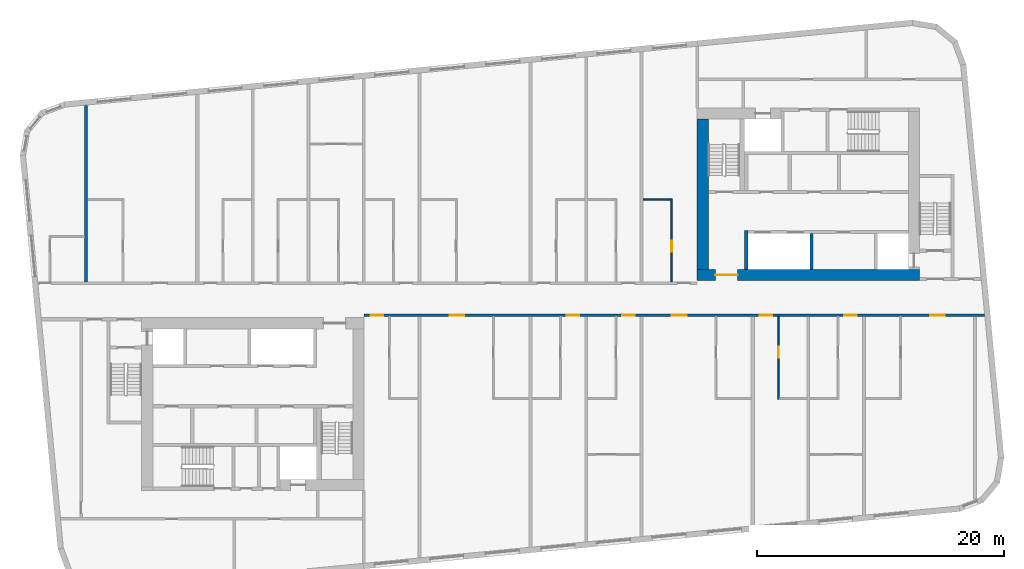
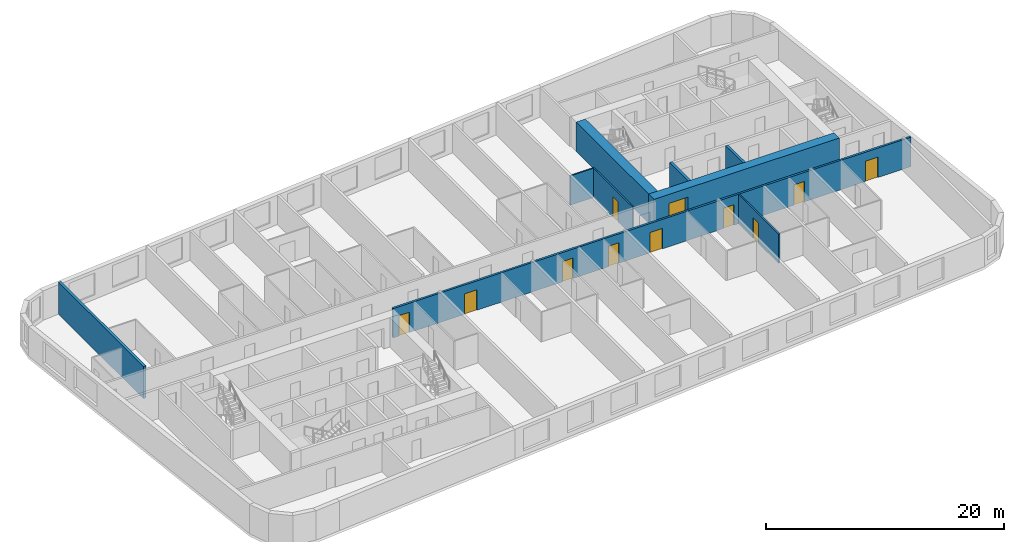
# One storey, part 5 of 12: 11 doors, 9 walls, 11 openings.
"""IFC4 building model written with IfcOpenShell, lengths in metres."""

from ifc_helpers import new_model, si_unit, direction, frame, frame_2d, origin, place, context, subcontext, project, spatial, rectangle, extrude, material, layer, layer_set, type_object, element, fill, save


model = new_model("IFC4")

# Units and contexts
model_context = context("Model", 3, precision=1e-05, world=origin(), true_north=direction((0.0, 1.0)))
body_context = subcontext(model_context, "Body", "Model", "MODEL_VIEW")
ifc_project = project(units=[si_unit("LENGTHUNIT", "METRE"), si_unit("AREAUNIT", "SQUARE_METRE"), si_unit("VOLUMEUNIT", "CUBIC_METRE"), si_unit("PLANEANGLEUNIT", "RADIAN"), si_unit("MASSUNIT", "GRAM", prefix="KILO")], contexts=[model_context])

# Site, building, storey
site_placement = place(None, origin())
site = spatial("IfcSite", under=ifc_project, at=site_placement, CompositionType="ELEMENT")
building_placement = place(site_placement, origin())
building = spatial("IfcBuilding", under=site, at=building_placement, Name="Kajstack Hotel Tower", CompositionType="ELEMENT")
storey_placement = place(building_placement, frame((0.0, 0.0, 301.5)))
storey = spatial("IfcBuildingStorey", under=building, at=storey_placement, Name="L76", CompositionType="ELEMENT", Elevation=301.5)

# Wall, opening, door
ifc_material_1 = material(Name="Concrete C60/75", Category="concrete")
ifc_layer_1 = layer(ifc_material_1, 0.89990234375)
ifc_layer_set_1 = layer_set([ifc_layer_1], Name="Core wall 900")
wall_type_1 = type_object("IfcWallType", Name="Core wall 900", PredefinedType="SHEAR", material=ifc_layer_set_1)
wall_1_placement = place(storey_placement, frame((13.5, 1.949951171875, 0.0), z_axis=(0.0, 0.0, 1.0), x_axis=(1.0, 0.0, 0.0)))
wall_1 = element("IfcWall", 1, at=wall_1_placement, inside=storey, type_object=wall_type_1, Name="Core wall E RN", PredefinedType="SHEAR", context=body_context, shape_type="SweptSolid", body=[
    extrude(rectangle(XDim=18.0, YDim=0.89990234375, at=frame_2d((9.0, 0.0))), origin(), (0.0, 0.0, 1.0), 3.02001953125),
])
opening_1_placement = place(wall_1_placement, frame((1.47509765625, 0.0, 0.0)))
opening_1 = element("IfcOpeningElement", 2, at=opening_1_placement, cuts=wall_1, Name="Opening 76E05", PredefinedType="OPENING", context=body_context, shape_type="SweptSolid", body=[
    extrude(rectangle(XDim=1.800048828125, YDim=2.10009765625, at=frame_2d((0.89990234375, 1.050048828125))), frame((0.0, 0.4599609375, 0.0), z_axis=(0.0, -1.0, 0.0), x_axis=(1.0, 0.0, 0.0)), (0.0, 0.0, 1.0), 0.919921875),
])
ifc_material_2 = material(Name="Glazed steel frame, fire-rated glass", Category="steel")
door_type_1 = type_object("IfcDoorType", Name="Lobby double door 1800", OperationType="DOUBLE_DOOR_DOUBLE_SWING", PredefinedType="DOOR", material=ifc_material_2)
door_1_placement = place(opening_1_placement, origin())
door_1 = element("IfcDoor", 3, at=door_1_placement, inside=storey, type_object=door_type_1, Name="Door 76E05", OperationType="DOUBLE_DOOR_DOUBLE_SWING", OverallHeight=2.10009765625, OverallWidth=1.800048828125, PredefinedType="DOOR", context=body_context, shape_type="SweptSolid", body=[
    extrude(rectangle(XDim=1.800048828125, YDim=2.10009765625, at=frame_2d((0.89990234375, 1.050048828125))), frame((0.0, 0.02490234375, 0.0), z_axis=(0.0, -1.0, 0.0), x_axis=(1.0, 0.0, 0.0)), (0.0, 0.0, 1.0), 0.050048828125),
])
fill(opening_1, door_1)

# Wall
wall_2_placement = place(storey_placement, frame((13.949951171875, 2.39990234375, 0.0), z_axis=(0.0, 0.0, 1.0), x_axis=(0.0, 1.0, 0.0)))
element("IfcWall", 4, at=wall_2_placement, inside=storey, type_object=wall_type_1, Name="Core wall E RE", PredefinedType="SHEAR", context=body_context, shape_type="SweptSolid", body=[
    extrude(rectangle(XDim=12.2001953125, YDim=0.89990234375, at=frame_2d((6.10009765625, 0.0))), origin(), (0.0, 0.0, 1.0), 3.02001953125),
])

# Wall, openings, doors
ifc_material_3 = material(Name="Gypsum board on steel studs, mineral wool", Category="steel")
ifc_layer_2 = layer(ifc_material_3, 0.199951171875)
ifc_layer_set_2 = layer_set([ifc_layer_2], Name="Corridor wall 200")
wall_type_2 = type_object("IfcWallType", Name="Corridor wall 200", PredefinedType="PARTITIONING", material=ifc_layer_set_2)
wall_3_placement = place(storey_placement, frame((-13.5, -1.300048828125, 0.0), z_axis=(0.0, 0.0, 1.0), x_axis=(1.0, 0.0, 0.0)))
wall_3 = element("IfcWall", 5, at=wall_3_placement, inside=storey, type_object=wall_type_2, Name="G-wall-L76-028", PredefinedType="PARTITIONING", context=body_context, shape_type="SweptSolid", body=[
    extrude(rectangle(XDim=50.29296875, YDim=0.199951171875, at=frame_2d((25.146484375, 0.0))), origin(), (0.0, 0.0, 1.0), 3.02001953125),
])
opening_2_placement = place(wall_3_placement, frame((0.574951171875, 0.0, 0.0)))
opening_2 = element("IfcOpeningElement", 6, at=opening_2_placement, cuts=wall_3, Name="Opening 76022", PredefinedType="OPENING", context=body_context, shape_type="SweptSolid", body=[
    extrude(rectangle(XDim=1.0, YDim=2.10009765625, at=frame_2d((0.5, 1.050048828125))), frame((0.0, 0.10986328125, 0.0), z_axis=(0.0, -1.0, 0.0), x_axis=(1.0, 0.0, 0.0)), (0.0, 0.0, 1.0), 0.219970703125),
])
opening_3_placement = place(wall_3_placement, frame((6.93798828125, 0.0, 0.0)))
opening_3 = element("IfcOpeningElement", 7, at=opening_3_placement, cuts=wall_3, Name="Opening 76024", PredefinedType="OPENING", context=body_context, shape_type="SweptSolid", body=[
    extrude(rectangle(XDim=1.199951171875, YDim=2.10009765625, at=frame_2d((0.60009765625, 1.050048828125))), frame((0.0, 0.10986328125, 0.0), z_axis=(0.0, -1.0, 0.0), x_axis=(1.0, 0.0, 0.0)), (0.0, 0.0, 1.0), 0.219970703125),
])
opening_4_placement = place(wall_3_placement, frame((16.449951171875, 0.0, 0.0)))
opening_4 = element("IfcOpeningElement", 8, at=opening_4_placement, cuts=wall_3, Name="Opening 76026", PredefinedType="OPENING", context=body_context, shape_type="SweptSolid", body=[
    extrude(rectangle(XDim=1.0, YDim=2.10009765625, at=frame_2d((0.5, 1.050048828125))), frame((0.0, 0.10986328125, 0.0), z_axis=(0.0, -1.0, 0.0), x_axis=(1.0, 0.0, 0.0)), (0.0, 0.0, 1.0), 0.219970703125),
])
opening_5_placement = place(wall_3_placement, frame((20.925048828125, 0.0, 0.0)))
opening_5 = element("IfcOpeningElement", 9, at=opening_5_placement, cuts=wall_3, Name="Opening 76028", PredefinedType="OPENING", context=body_context, shape_type="SweptSolid", body=[
    extrude(rectangle(XDim=1.0, YDim=2.10009765625, at=frame_2d((0.5, 1.050048828125))), frame((0.0, 0.10986328125, 0.0), z_axis=(0.0, -1.0, 0.0), x_axis=(1.0, 0.0, 0.0)), (0.0, 0.0, 1.0), 0.219970703125),
])
opening_6_placement = place(wall_3_placement, frame((24.93798828125, 0.0, 0.0)))
opening_6 = element("IfcOpeningElement", 10, at=opening_6_placement, cuts=wall_3, Name="Opening 76031", PredefinedType="OPENING", context=body_context, shape_type="SweptSolid", body=[
    extrude(rectangle(XDim=1.199951171875, YDim=2.10009765625, at=frame_2d((0.60009765625, 1.050048828125))), frame((0.0, 0.10986328125, 0.0), z_axis=(0.0, -1.0, 0.0), x_axis=(1.0, 0.0, 0.0)), (0.0, 0.0, 1.0), 0.219970703125),
])
opening_7_placement = place(wall_3_placement, frame((32.074951171875, 0.0, 0.0)))
opening_7 = element("IfcOpeningElement", 11, at=opening_7_placement, cuts=wall_3, Name="Opening 76033", PredefinedType="OPENING", context=body_context, shape_type="SweptSolid", body=[
    extrude(rectangle(XDim=1.0, YDim=2.10009765625, at=frame_2d((0.5, 1.050048828125))), frame((0.0, 0.10986328125, 0.0), z_axis=(0.0, -1.0, 0.0), x_axis=(1.0, 0.0, 0.0)), (0.0, 0.0, 1.0), 0.219970703125),
])
opening_8_placement = place(wall_3_placement, frame((38.925048828125, 0.0, 0.0)))
opening_8 = element("IfcOpeningElement", 12, at=opening_8_placement, cuts=wall_3, Name="Opening 76035", PredefinedType="OPENING", context=body_context, shape_type="SweptSolid", body=[
    extrude(rectangle(XDim=1.0, YDim=2.10009765625, at=frame_2d((0.5, 1.050048828125))), frame((0.0, 0.10986328125, 0.0), z_axis=(0.0, -1.0, 0.0), x_axis=(1.0, 0.0, 0.0)), (0.0, 0.0, 1.0), 0.219970703125),
])
opening_9_placement = place(wall_3_placement, frame((45.862060546875, 0.0, 0.0)))
opening_9 = element("IfcOpeningElement", 13, at=opening_9_placement, cuts=wall_3, Name="Opening 76038", PredefinedType="OPENING", context=body_context, shape_type="SweptSolid", body=[
    extrude(rectangle(XDim=1.199951171875, YDim=2.10009765625, at=frame_2d((0.60009765625, 1.050048828125))), frame((0.0, 0.10986328125, 0.0), z_axis=(0.0, -1.0, 0.0), x_axis=(1.0, 0.0, 0.0)), (0.0, 0.0, 1.0), 0.219970703125),
])
ifc_material_4 = material(Name="Oak veneer on timber core, fire-rated leaf", Category="wood")
door_type_2 = type_object("IfcDoorType", Name="Flat entrance door 1000", OperationType="SINGLE_SWING_LEFT", PredefinedType="DOOR", material=ifc_material_4)
door_2_placement = place(opening_2_placement, origin())
door_2 = element("IfcDoor", 14, at=door_2_placement, inside=storey, type_object=door_type_2, Name="G-door-L76-22", OperationType="SINGLE_SWING_RIGHT", OverallHeight=2.10009765625, OverallWidth=1.0, PredefinedType="DOOR", context=body_context, shape_type="SweptSolid", body=[
    extrude(rectangle(XDim=1.0, YDim=2.10009765625, at=frame_2d((0.5, 1.050048828125))), frame((0.0, 0.02490234375, 0.0), z_axis=(0.0, -1.0, 0.0), x_axis=(1.0, 0.0, 0.0)), (0.0, 0.0, 1.0), 0.050048828125),
])
fill(opening_2, door_2)
door_3_placement = place(opening_4_placement, origin())
door_3 = element("IfcDoor", 15, at=door_3_placement, inside=storey, type_object=door_type_2, Name="G-door-L76-26", OperationType="SINGLE_SWING_LEFT", OverallHeight=2.10009765625, OverallWidth=1.0, PredefinedType="DOOR", context=body_context, shape_type="SweptSolid", body=[
    extrude(rectangle(XDim=1.0, YDim=2.10009765625, at=frame_2d((0.5, 1.050048828125))), frame((0.0, 0.02490234375, 0.0), z_axis=(0.0, -1.0, 0.0), x_axis=(1.0, 0.0, 0.0)), (0.0, 0.0, 1.0), 0.050048828125),
])
fill(opening_4, door_3)
door_4_placement = place(opening_5_placement, origin())
door_4 = element("IfcDoor", 16, at=door_4_placement, inside=storey, type_object=door_type_2, Name="G-door-L76-28", OperationType="SINGLE_SWING_LEFT", OverallHeight=2.10009765625, OverallWidth=1.0, PredefinedType="DOOR", context=body_context, shape_type="SweptSolid", body=[
    extrude(rectangle(XDim=1.0, YDim=2.10009765625, at=frame_2d((0.5, 1.050048828125))), frame((0.0, 0.02490234375, 0.0), z_axis=(0.0, -1.0, 0.0), x_axis=(1.0, 0.0, 0.0)), (0.0, 0.0, 1.0), 0.050048828125),
])
fill(opening_5, door_4)
door_5_placement = place(opening_7_placement, origin())
door_5 = element("IfcDoor", 17, at=door_5_placement, inside=storey, type_object=door_type_2, Name="G-door-L76-33", OperationType="SINGLE_SWING_RIGHT", OverallHeight=2.10009765625, OverallWidth=1.0, PredefinedType="DOOR", context=body_context, shape_type="SweptSolid", body=[
    extrude(rectangle(XDim=1.0, YDim=2.10009765625, at=frame_2d((0.5, 1.050048828125))), frame((0.0, 0.02490234375, 0.0), z_axis=(0.0, -1.0, 0.0), x_axis=(1.0, 0.0, 0.0)), (0.0, 0.0, 1.0), 0.050048828125),
])
fill(opening_7, door_5)
door_6_placement = place(opening_8_placement, origin())
door_6 = element("IfcDoor", 18, at=door_6_placement, inside=storey, type_object=door_type_2, Name="G-door-L76-35", OperationType="SINGLE_SWING_LEFT", OverallHeight=2.10009765625, OverallWidth=1.0, PredefinedType="DOOR", context=body_context, shape_type="SweptSolid", body=[
    extrude(rectangle(XDim=1.0, YDim=2.10009765625, at=frame_2d((0.5, 1.050048828125))), frame((0.0, 0.02490234375, 0.0), z_axis=(0.0, -1.0, 0.0), x_axis=(1.0, 0.0, 0.0)), (0.0, 0.0, 1.0), 0.050048828125),
])
fill(opening_8, door_6)
door_type_3 = type_object("IfcDoorType", Name="Flat entrance door 1200", OperationType="SINGLE_SWING_LEFT", PredefinedType="DOOR", material=ifc_material_4)
door_7_placement = place(opening_3_placement, origin())
door_7 = element("IfcDoor", 19, at=door_7_placement, inside=storey, type_object=door_type_3, Name="G-door-L76-24", OperationType="SINGLE_SWING_RIGHT", OverallHeight=2.10009765625, OverallWidth=1.199951171875, PredefinedType="DOOR", context=body_context, shape_type="SweptSolid", body=[
    extrude(rectangle(XDim=1.199951171875, YDim=2.10009765625, at=frame_2d((0.60009765625, 1.050048828125))), frame((0.0, 0.02490234375, 0.0), z_axis=(0.0, -1.0, 0.0), x_axis=(1.0, 0.0, 0.0)), (0.0, 0.0, 1.0), 0.050048828125),
])
fill(opening_3, door_7)
door_8_placement = place(opening_6_placement, origin())
door_8 = element("IfcDoor", 20, at=door_8_placement, inside=storey, type_object=door_type_3, Name="G-door-L76-31", OperationType="SINGLE_SWING_LEFT", OverallHeight=2.10009765625, OverallWidth=1.199951171875, PredefinedType="DOOR", context=body_context, shape_type="SweptSolid", body=[
    extrude(rectangle(XDim=1.199951171875, YDim=2.10009765625, at=frame_2d((0.60009765625, 1.050048828125))), frame((0.0, 0.02490234375, 0.0), z_axis=(0.0, -1.0, 0.0), x_axis=(1.0, 0.0, 0.0)), (0.0, 0.0, 1.0), 0.050048828125),
])
fill(opening_6, door_8)
door_9_placement = place(opening_9_placement, origin())
door_9 = element("IfcDoor", 21, at=door_9_placement, inside=storey, type_object=door_type_3, Name="G-door-L76-38", OperationType="SINGLE_SWING_LEFT", OverallHeight=2.10009765625, OverallWidth=1.199951171875, PredefinedType="DOOR", context=body_context, shape_type="SweptSolid", body=[
    extrude(rectangle(XDim=1.199951171875, YDim=2.10009765625, at=frame_2d((0.60009765625, 1.050048828125))), frame((0.0, 0.02490234375, 0.0), z_axis=(0.0, -1.0, 0.0), x_axis=(1.0, 0.0, 0.0)), (0.0, 0.0, 1.0), 0.050048828125),
])
fill(opening_9, door_9)

# Wall, opening, door
ifc_material_5 = material(Name="Gypsum board and tiled backer on steel studs", Category="steel")
ifc_layer_3 = layer(ifc_material_5, 0.125)
ifc_layer_set_3 = layer_set([ifc_layer_3], Name="En-suite wall 125")
wall_type_3 = type_object("IfcWallType", Name="En-suite wall 125", PredefinedType="PARTITIONING", material=ifc_layer_set_3)
wall_4_placement = place(storey_placement, frame((11.43798828125, 1.39990234375, 0.0), z_axis=(0.0, 0.0, 1.0), x_axis=(0.0, 1.0, 0.0)))
wall_4 = element("IfcWall", 22, at=wall_4_placement, inside=storey, type_object=wall_type_3, Name="G-wall-L76-026", PredefinedType="PARTITIONING", context=body_context, shape_type="SweptSolid", body=[
    extrude(rectangle(XDim=6.72509765625, YDim=0.125, at=frame_2d((3.362548828125, 0.0))), origin(), (0.0, 0.0, 1.0), 3.02001953125),
])
opening_10_placement = place(wall_4_placement, frame((2.449951171875, 0.0, 0.0)))
opening_10 = element("IfcOpeningElement", 23, at=opening_10_placement, cuts=wall_4, Name="Opening 76021", PredefinedType="OPENING", context=body_context, shape_type="SweptSolid", body=[
    extrude(rectangle(XDim=0.89990234375, YDim=2.10009765625, at=frame_2d((0.449951171875, 1.050048828125))), frame((0.0, 0.072509765625, 0.0), z_axis=(0.0, -1.0, 0.0), x_axis=(1.0, 0.0, 0.0)), (0.0, 0.0, 1.0), 0.14501953125),
])
ifc_material_6 = material(Name="Painted timber door leaf", Category="wood")
door_type_4 = type_object("IfcDoorType", Name="Room door 900", OperationType="SINGLE_SWING_LEFT", PredefinedType="DOOR", material=ifc_material_6)
door_10_placement = place(opening_10_placement, origin())
door_10 = element("IfcDoor", 24, at=door_10_placement, inside=storey, type_object=door_type_4, Name="G-door-L76-21", OperationType="SINGLE_SWING_LEFT", OverallHeight=2.10009765625, OverallWidth=0.89990234375, PredefinedType="DOOR", context=body_context, shape_type="SweptSolid", body=[
    extrude(rectangle(XDim=0.89990234375, YDim=2.10009765625, at=frame_2d((0.449951171875, 1.050048828125))), frame((0.0, 0.02490234375, 0.0), z_axis=(0.0, -1.0, 0.0), x_axis=(1.0, 0.0, 0.0)), (0.0, 0.0, 1.0), 0.050048828125),
])
fill(opening_10, door_10)

# Wall
wall_5_placement = place(storey_placement, frame((9.125, 8.06201171875, 0.0), z_axis=(0.0, 0.0, 1.0), x_axis=(1.0, 0.0, 0.0)))
element("IfcWall", 25, at=wall_5_placement, inside=storey, type_object=wall_type_3, Name="G-wall-L76-027", PredefinedType="PARTITIONING", context=body_context, shape_type="SweptSolid", body=[
    extrude(rectangle(XDim=2.25, YDim=0.125, at=frame_2d((1.125, 0.0))), origin(), (0.0, 0.0, 1.0), 3.02001953125),
])

# Wall, opening, door
wall_6_placement = place(storey_placement, frame((20.0869140625, -8.125, 0.0), z_axis=(0.0, 0.0, 1.0), x_axis=(0.0, 1.0, 0.0)))
wall_6 = element("IfcWall", 26, at=wall_6_placement, inside=storey, type_object=wall_type_3, Name="G-wall-L76-042", PredefinedType="PARTITIONING", context=body_context, shape_type="SweptSolid", body=[
    extrude(rectangle(XDim=6.72509765625, YDim=0.125, at=frame_2d((3.362548828125, 0.0))), origin(), (0.0, 0.0, 1.0), 3.02001953125),
])
opening_11_placement = place(wall_6_placement, frame((3.375, 0.0, 0.0)))
opening_11 = element("IfcOpeningElement", 27, at=opening_11_placement, cuts=wall_6, Name="Opening 76034", PredefinedType="OPENING", context=body_context, shape_type="SweptSolid", body=[
    extrude(rectangle(XDim=0.89990234375, YDim=2.10009765625, at=frame_2d((0.449951171875, 1.050048828125))), frame((0.0, 0.072509765625, 0.0), z_axis=(0.0, -1.0, 0.0), x_axis=(1.0, 0.0, 0.0)), (0.0, 0.0, 1.0), 0.14501953125),
])
door_11_placement = place(opening_11_placement, origin())
door_11 = element("IfcDoor", 28, at=door_11_placement, inside=storey, type_object=door_type_4, Name="G-door-L76-34", OperationType="SINGLE_SWING_RIGHT", OverallHeight=2.10009765625, OverallWidth=0.89990234375, PredefinedType="DOOR", context=body_context, shape_type="SweptSolid", body=[
    extrude(rectangle(XDim=0.89990234375, YDim=2.10009765625, at=frame_2d((0.449951171875, 1.050048828125))), frame((0.0, 0.02490234375, 0.0), z_axis=(0.0, -1.0, 0.0), x_axis=(1.0, 0.0, 0.0)), (0.0, 0.0, 1.0), 0.050048828125),
])
fill(opening_11, door_11)

# Walls
ifc_material_7 = material(Name="Concrete C50/60", Category="concrete")
ifc_layer_4 = layer(ifc_material_7, 0.300048828125)
ifc_layer_set_4 = layer_set([ifc_layer_4], Name="Hoistway divider wall 300")
wall_type_4 = type_object("IfcWallType", Name="Hoistway divider wall 300", PredefinedType="SHEAR", material=ifc_layer_set_4)
wall_7_placement = place(storey_placement, frame((22.77490234375, 2.39990234375, 0.0), z_axis=(0.0, 0.0, 1.0), x_axis=(0.0, 1.0, 0.0)))
element("IfcWall", 29, at=wall_7_placement, inside=storey, type_object=wall_type_4, Name="Core wall E AP2", PredefinedType="SHEAR", context=body_context, shape_type="SweptSolid", body=[
    extrude(rectangle(XDim=2.900146484375, YDim=0.25, at=frame_2d((1.4501953125, 0.0))), origin(), (0.0, 0.0, 1.0), 3.02001953125),
])
ifc_material_8 = material(Name="Concrete C40/50", Category="concrete")
ifc_layer_5 = layer(ifc_material_8, 0.25)
ifc_layer_set_5 = layer_set([ifc_layer_5], Name="RC cross wall 250 C40/50")
wall_type_5 = type_object("IfcWallType", Name="RC cross wall 250 C40/50", PredefinedType="SHEAR", material=ifc_layer_set_5)
wall_8_placement = place(storey_placement, frame((-36.0, 1.39990234375, 0.0), z_axis=(0.0, 0.0, 1.0), x_axis=(0.0, 1.0, 0.0)))
element("IfcWall", 30, at=wall_8_placement, inside=storey, type_object=wall_type_5, Name="S-wall-L76-01", PredefinedType="SHEAR", context=body_context, shape_type="SweptSolid", body=[
    extrude(rectangle(XDim=14.29638671875, YDim=0.25, at=frame_2d((7.148193359375, 0.0))), origin(), (0.0, 0.0, 1.0), 3.300048828125),
])
ifc_layer_6 = layer(ifc_material_7, 0.25)
ifc_layer_set_6 = layer_set([ifc_layer_6], Name="Shaft wall 250")
wall_type_6 = type_object("IfcWallType", Name="Shaft wall 250", PredefinedType="SHEAR", material=ifc_layer_set_6)
wall_9_placement = place(storey_placement, frame((17.47509765625, 2.39990234375, 0.0), z_axis=(0.0, 0.0, 1.0), x_axis=(0.0, 1.0, 0.0)))
element("IfcWall", 31, at=wall_9_placement, inside=storey, type_object=wall_type_6, Name="Core wall E AE", PredefinedType="SHEAR", context=body_context, shape_type="SweptSolid", body=[
    extrude(rectangle(XDim=3.150146484375, YDim=0.25, at=frame_2d((1.5751953125, 0.0))), origin(), (0.0, 0.0, 1.0), 3.02001953125),
])

save(model, "model.ifc")
